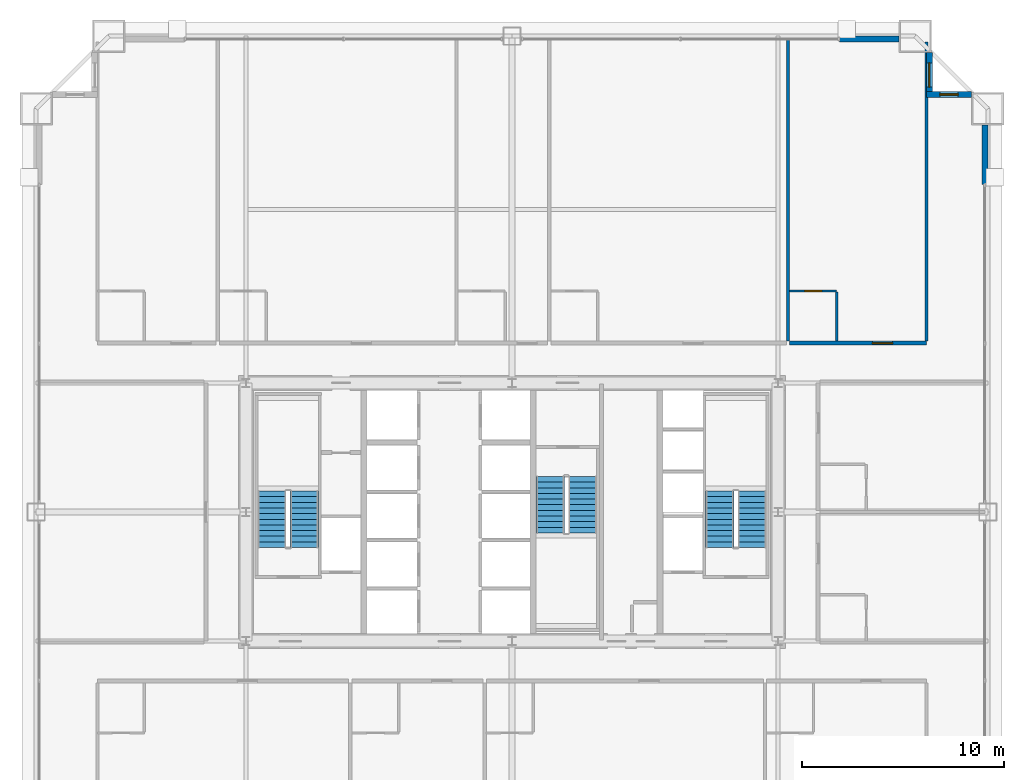
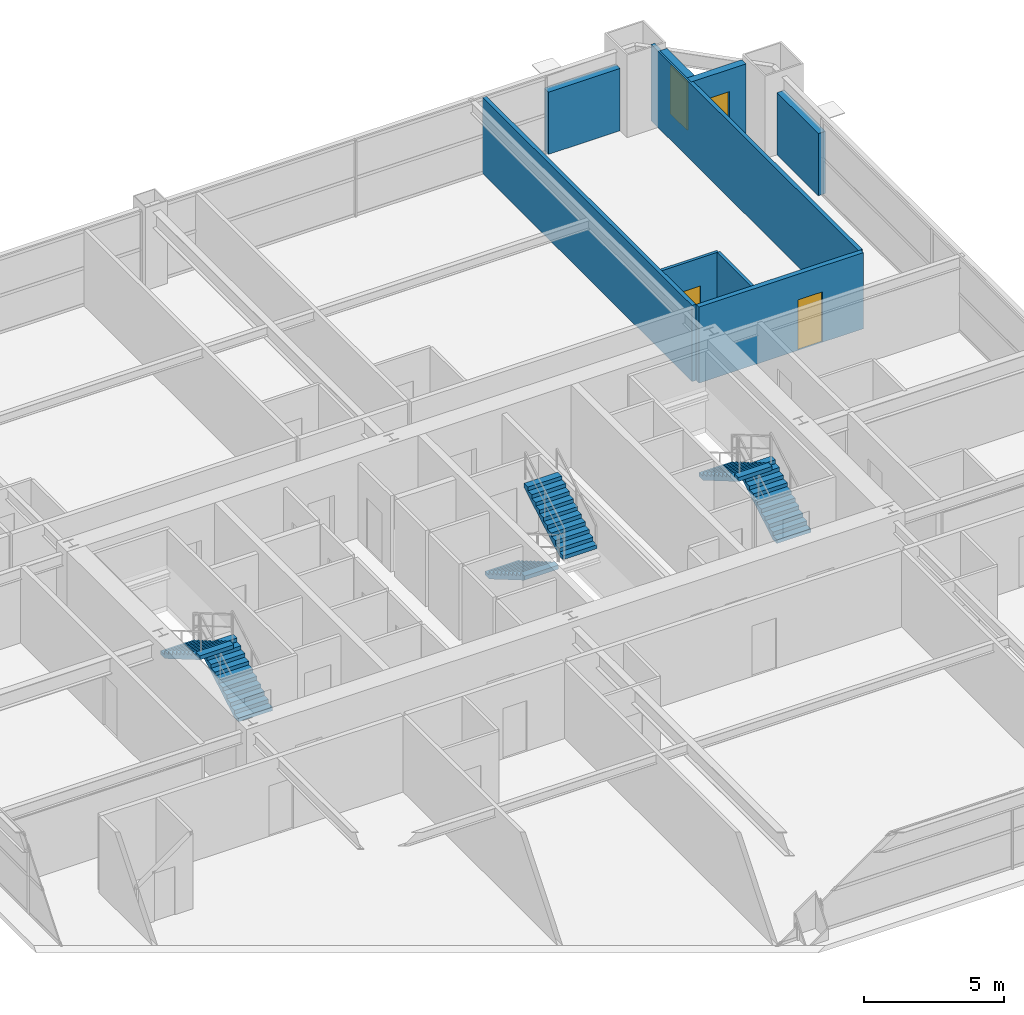
# One storey, part 37 of 38: 9 walls, 6 stair flights, 2 doors, 2 windows, 4 openings, 3 elements without a shape of their own.
"""IFC4 building model written with IfcOpenShell, lengths in metres."""

from ifc_helpers import new_model, si_unit, direction, frame, frame_2d, origin, place, context, subcontext, project, spatial, polyline, rectangle, outline, extrude, source, transform, mapped, material, layer, layer_set, type_object, element, fill, aggregate, save


model = new_model("IFC4")

# Units and contexts
model_context = context("Model", 3, precision=1e-05, world=origin(), true_north=direction((0.0, 1.0)))
body_context = subcontext(model_context, "Body", "Model", "MODEL_VIEW")
ifc_project = project(units=[si_unit("LENGTHUNIT", "METRE"), si_unit("AREAUNIT", "SQUARE_METRE"), si_unit("VOLUMEUNIT", "CUBIC_METRE"), si_unit("PLANEANGLEUNIT", "RADIAN"), si_unit("MASSUNIT", "GRAM", prefix="KILO"), si_unit("THERMODYNAMICTEMPERATUREUNIT", "KELVIN"), si_unit("POWERUNIT", "WATT")], contexts=[model_context])

# Site, building, storey
site_placement = place(None, origin())
site = spatial("IfcSite", under=ifc_project, at=site_placement, CompositionType="ELEMENT")
building_placement = place(site_placement, origin())
building = spatial("IfcBuilding", under=site, at=building_placement, Name="Yuzanri Waterfront Tower", CompositionType="ELEMENT")
storey_placement = place(building_placement, frame((0.0, 0.0, 126.199951171875)))
storey = spatial("IfcBuildingStorey", under=building, at=storey_placement, Name="L33", CompositionType="ELEMENT", Elevation=126.199951171875)

# Wall, opening, door
ifc_material_1 = material(Name="Moisture-Resistant Gypsum Stud Wall", Category="gypsum")
ifc_layer_1 = layer(ifc_material_1, 0.1201171875)
ifc_layer_set_1 = layer_set([ifc_layer_1], Name="Moisture-Resistant Gypsum Stud Wall")
wall_type_1 = type_object("IfcWallType", Name="Bathroom and Kitchen Wet Partition 120", PredefinedType="PARTITIONING", material=ifc_layer_set_1)
wall_1_placement = place(storey_placement, frame((50.77294921875, 36.760009765625, 0.0), z_axis=(0.0, 0.0, 1.0), x_axis=(1.0, 0.0, 0.0)))
wall_1 = element("IfcWall", 1, at=wall_1_placement, inside=storey, type_object=wall_type_1, Name="L33 Partition UW-L33-N5-BN", PredefinedType="PARTITIONING", context=body_context, shape_type="SweptSolid", body=[
    extrude(rectangle(XDim=2.330078125, YDim=0.1201171875, at=frame_2d((1.1650390625, 0.0))), origin(), (0.0, 0.0, 1.0), 3.320068359375),
])
opening_1_placement = place(wall_1_placement, frame((0.739990234375, 0.0, 0.0)))
opening_1 = element("IfcOpeningElement", 2, at=opening_1_placement, cuts=wall_1, Name="Opening ID-0850", PredefinedType="OPENING", context=body_context, shape_type="SweptSolid", body=[
    extrude(rectangle(XDim=0.85009765625, YDim=2.10009765625, at=frame_2d((0.425048828125, 1.050048828125))), frame((0.0, 0.074951171875, 0.0), z_axis=(0.0, -1.0, 0.0), x_axis=(1.0, 0.0, 0.0)), (0.0, 0.0, 1.0), 0.14990234375),
])
ifc_material_2 = material(Name="Moisture-Resistant Lacquered Timber", Category="wood")
door_type_1 = type_object("IfcDoorType", Name="En-Suite Bathroom and Kitchen Swing Door 850x2100", OperationType="NOTDEFINED", PredefinedType="DOOR", material=ifc_material_2)
shared_shape_1 = source(origin(), body_context, "Body", "SweptSolid", [
    extrude(rectangle(XDim=0.85009765625, YDim=2.10009765625, at=frame_2d((0.425048828125, 1.050048828125))), frame((0.0, 0.02490234375, 0.0), z_axis=(0.0, -1.0, 0.0), x_axis=(1.0, 0.0, 0.0)), (0.0, 0.0, 1.0), 0.050048828125),
])
door_1_placement = place(opening_1_placement, origin())
door_1 = element("IfcDoor", 3, at=door_1_placement, inside=storey, type_object=door_type_1, Name="L33 Guest En-Suite Door", OperationType="SINGLE_SWING_LEFT", OverallHeight=2.10009765625, OverallWidth=0.85009765625, PredefinedType="DOOR", context=body_context, shape_type="MappedRepresentation", body=[
    mapped(shared_shape_1, transform((0.0, 0.0, 0.0), scale=1.0)),
])
fill(opening_1, door_1)

# Wall, opening, window
ifc_material_3 = material(Name="Honed Chongqing Dark Basalt Stone", Category="masonry")
ifc_layer_2 = layer(ifc_material_3, 0.300048828125)
ifc_layer_set_2 = layer_set([ifc_layer_2], Name="Honed Chongqing Dark Basalt Stone")
wall_type_2 = type_object("IfcWallType", Name="Bronze Rainscreen Insulated Spandrel Portal Wall 300", PredefinedType="SOLIDWALL", material=ifc_layer_set_2)
wall_2_placement = place(storey_placement, frame((59.800048828125, 46.5, 0.0), z_axis=(0.0, 0.0, 1.0), x_axis=(-1.0, 0.0, 0.0)))
wall_2 = element("IfcWall", 4, at=wall_2_placement, inside=storey, type_object=wall_type_2, Name="L33 Notched Corner Masonry Wall NE-X", PredefinedType="SOLIDWALL", context=body_context, shape_type="SweptSolid", body=[
    extrude(rectangle(XDim=2.25, YDim=0.300048828125, at=frame_2d((1.125, 0.0))), origin(), (0.0, 0.0, 1.0), 3.320068359375),
])
opening_2_placement = place(wall_2_placement, frame((0.675048828125, 0.0, 0.85009765625)))
opening_2 = element("IfcOpeningElement", 5, at=opening_2_placement, cuts=wall_2, Name="Opening WN-05", PredefinedType="OPENING", context=body_context, shape_type="SweptSolid", body=[
    extrude(rectangle(XDim=0.89990234375, YDim=1.5, at=frame_2d((0.449951171875, 0.75))), frame((0.0, 0.1650390625, 0.0), z_axis=(0.0, -1.0, 0.0), x_axis=(1.0, 0.0, 0.0)), (0.0, 0.0, 1.0), 0.329833984375),
])
ifc_material_4 = material(Name="Double-Silver Low-E Insulated Glass", Category="glass")
window_type_1 = type_object("IfcWindowType", Name="Anodized Bronze Service and Stairwell Smoke-Vent Window 900x1500", PartitioningType="SINGLE_PANEL", PredefinedType="WINDOW", material=ifc_material_4)
shared_shape_2 = source(origin(), body_context, "Body", "SweptSolid", [
    extrude(rectangle(XDim=0.89990234375, YDim=1.5, at=frame_2d((0.449951171875, 0.75))), frame((0.0, 0.030029296875, 0.0), z_axis=(0.0, -1.0, 0.0), x_axis=(1.0, 0.0, 0.0)), (0.0, 0.0, 1.0), 0.06005859375),
])
window_1_placement = place(opening_2_placement, origin())
window_1 = element("IfcWindow", 6, at=window_1_placement, inside=storey, type_object=window_type_1, Name="L33 Notched Corner Window NE-X", OverallHeight=1.5, OverallWidth=0.89990234375, PartitioningType="SINGLE_PANEL", PredefinedType="WINDOW", context=body_context, shape_type="MappedRepresentation", body=[
    mapped(shared_shape_2, transform((0.0, 0.0, 0.0), scale=1.0)),
])
fill(opening_2, window_1)

wall_3_placement = place(storey_placement, frame((57.699951171875, 46.35009765625, 0.0), z_axis=(0.0, 0.0, 1.0), x_axis=(0.0, 1.0, 0.0)))
wall_3 = element("IfcWall", 7, at=wall_3_placement, inside=storey, type_object=wall_type_2, Name="L33 Notched Corner Masonry Wall NE-Y", PredefinedType="SOLIDWALL", context=body_context, shape_type="SweptSolid", body=[
    extrude(rectangle(XDim=2.25, YDim=0.300048828125, at=frame_2d((1.125, 0.0))), origin(), (0.0, 0.0, 1.0), 3.320068359375),
])
opening_3_placement = place(wall_3_placement, frame((0.52490234375, 0.0, 0.85009765625)))
opening_3 = element("IfcOpeningElement", 8, at=opening_3_placement, cuts=wall_3, Name="Opening WN-02", PredefinedType="OPENING", context=body_context, shape_type="SweptSolid", body=[
    extrude(rectangle(XDim=1.199951171875, YDim=2.10009765625, at=frame_2d((0.60009765625, 1.050048828125))), frame((0.0, 0.1650390625, 0.0), z_axis=(0.0, -1.0, 0.0), x_axis=(1.0, 0.0, 0.0)), (0.0, 0.0, 1.0), 0.329833984375),
])
ifc_material_5 = material(Name="Double-Silver Low-E Insulated Glass", Category="glass")
window_type_2 = type_object("IfcWindowType", Name="Anodized Bronze Notched Corner Deep-Set Slot Window 1200x2100", PartitioningType="SINGLE_PANEL", PredefinedType="WINDOW", material=ifc_material_5)
shared_shape_3 = source(origin(), body_context, "Body", "SweptSolid", [
    extrude(rectangle(XDim=1.199951171875, YDim=2.10009765625, at=frame_2d((0.60009765625, 1.050048828125))), frame((0.0, 0.030029296875, 0.0), z_axis=(0.0, -1.0, 0.0), x_axis=(1.0, 0.0, 0.0)), (0.0, 0.0, 1.0), 0.06005859375),
])
window_2_placement = place(opening_3_placement, origin())
window_2 = element("IfcWindow", 9, at=window_2_placement, inside=storey, type_object=window_type_2, Name="L33 Notched Corner Window NE-Y", OverallHeight=2.10009765625, OverallWidth=1.199951171875, PartitioningType="SINGLE_PANEL", PredefinedType="WINDOW", context=body_context, shape_type="MappedRepresentation", body=[
    mapped(shared_shape_3, transform((0.0, 0.0, 0.0), scale=1.0)),
])
fill(opening_3, window_2)

# Wall, opening, door
ifc_material_6 = material(Name="Autoclaved Aerated Concrete Blockwork", Category="masonry")
ifc_layer_3 = layer(ifc_material_6, 0.199951171875)
ifc_layer_set_3 = layer_set([ifc_layer_3], Name="Autoclaved Aerated Concrete Blockwork")
wall_type_3 = type_object("IfcWallType", Name="Corridor and Unit Party Fire Wall 200", PredefinedType="PARTITIONING", material=ifc_layer_set_3)
wall_4_placement = place(storey_placement, frame((50.77294921875, 34.179931640625, 0.0), z_axis=(0.0, 0.0, 1.0), x_axis=(1.0, 0.0, 0.0)))
wall_4 = element("IfcWall", 10, at=wall_4_placement, inside=storey, type_object=wall_type_3, Name="L33 Partition UW-L33-N5-CS", PredefinedType="PARTITIONING", context=body_context, shape_type="SweptSolid", body=[
    extrude(rectangle(XDim=6.787109375, YDim=0.199951171875, at=frame_2d((3.3935546875, 0.0))), origin(), (0.0, 0.0, 1.0), 3.320068359375),
])
opening_4_placement = place(wall_4_placement, frame((4.097900390625, 0.0, 0.0)))
opening_4 = element("IfcOpeningElement", 11, at=opening_4_placement, cuts=wall_4, Name="Opening FD-1000", PredefinedType="OPENING", context=body_context, shape_type="SweptSolid", body=[
    extrude(rectangle(XDim=1.0, YDim=2.199951171875, at=frame_2d((0.5, 1.10009765625))), frame((0.0, 0.11474609375, 0.0), z_axis=(0.0, -1.0, 0.0), x_axis=(1.0, 0.0, 0.0)), (0.0, 0.0, 1.0), 0.229736328125),
])
ifc_material_7 = material(Name="Engineered Oak Fire-Rated Timber", Category="wood")
door_type_2 = type_object("IfcDoorType", Name="Guestroom and Apartment Entrance Fire Door 1000x2200", OperationType="NOTDEFINED", PredefinedType="DOOR", material=ifc_material_7)
shared_shape_4 = source(origin(), body_context, "Body", "SweptSolid", [
    extrude(rectangle(XDim=1.0, YDim=2.199951171875, at=frame_2d((0.5, 1.10009765625))), frame((0.0, 0.02490234375, 0.0), z_axis=(0.0, -1.0, 0.0), x_axis=(1.0, 0.0, 0.0)), (0.0, 0.0, 1.0), 0.050048828125),
])
door_2_placement = place(opening_4_placement, origin())
door_2 = element("IfcDoor", 12, at=door_2_placement, inside=storey, type_object=door_type_2, Name="L33 Superior Twin Junior Suite Entrance Door", OperationType="SINGLE_SWING_RIGHT", OverallHeight=2.199951171875, OverallWidth=1.0, PredefinedType="DOOR", context=body_context, shape_type="MappedRepresentation", body=[
    mapped(shared_shape_4, transform((0.0, 0.0, 0.0), scale=1.0)),
])
fill(opening_4, door_2)

# Walls
shared_shape_5 = source(origin(), body_context, "Body", "SweptSolid", [
    extrude(rectangle(XDim=2.949951171875, YDim=0.300048828125, at=frame_2d((1.47509765625, 0.0))), origin(), (0.0, 0.0, 1.0), 2.715087890625),
])
for number, where, z_axis, x_axis, name in (
    (13, (53.25, 49.25, 0.0), (0.0, 0.0, 1.0), (1.0, 0.0, 0.0), "L33 N Right Braced Masonry Shoulder"),
    (14, (60.449951171875, 42.050048828125, 0.0), (0.0, 0.0, 1.0), (0.0, 1.0, 0.0), "L33 E Right Braced Masonry Shoulder"),
):
    element("IfcWall", number, at=place(storey_placement, frame(where, z_axis=z_axis, x_axis=x_axis)), inside=storey, type_object=wall_type_2, Name=name, PredefinedType="SOLIDWALL", context=body_context, shape_type="MappedRepresentation", body=[
        mapped(shared_shape_5, transform((0.0, 0.0, 0.0), scale=1.0)),
    ])
shared_shape_6 = source(origin(), body_context, "Body", "SweptSolid", [
    extrude(rectangle(XDim=2.419921875, YDim=0.1201171875, at=frame_2d((1.2099609375, 0.0))), origin(), (0.0, 0.0, 1.0), 3.320068359375),
])
wall_5_placement = place(storey_placement, frame((53.10302734375, 34.280029296875, 0.0), z_axis=(0.0, 0.0, 1.0), x_axis=(0.0, 1.0, 0.0)))
element("IfcWall", 15, at=wall_5_placement, inside=storey, type_object=wall_type_1, Name="L33-N5 En-Suite Side Wall", PredefinedType="PARTITIONING", context=body_context, shape_type="MappedRepresentation", body=[
    mapped(shared_shape_6, transform((0.0, 0.0, 0.0), scale=1.0)),
])
ifc_material_8 = material(Name="Gypsum Fireboard Acoustic Stud Wall", Category="gypsum")
ifc_layer_4 = layer(ifc_material_8, 0.159912109375)
ifc_layer_set_4 = layer_set([ifc_layer_4], Name="Gypsum Fireboard Acoustic Stud Wall")
wall_type_4 = type_object("IfcWallType", Name="Acoustic Suite Demising Partition 160", PredefinedType="PARTITIONING", material=ifc_layer_set_4)
shared_shape_7 = source(origin(), body_context, "Body", "SweptSolid", [
    extrude(rectangle(XDim=14.969970703125, YDim=0.159912109375, at=frame_2d((7.48486328125, 0.0))), origin(), (0.0, 0.0, 1.0), 3.320068359375),
])
wall_6_placement = place(storey_placement, frame((50.693115234375, 34.280029296875, 0.0), z_axis=(0.0, 0.0, 1.0), x_axis=(0.0, 1.0, 0.0)))
element("IfcWall", 16, at=wall_6_placement, inside=storey, type_object=wall_type_4, Name="L33-N4 Party Wall", PredefinedType="PARTITIONING", context=body_context, shape_type="MappedRepresentation", body=[
    mapped(shared_shape_7, transform((0.0, 0.0, 0.0), scale=1.0)),
])
shared_shape_8 = source(origin(), body_context, "Body", "SweptSolid", [
    extrude(rectangle(XDim=14.820068359375, YDim=0.159912109375, at=frame_2d((7.41015625, 0.0))), origin(), (0.0, 0.0, 1.0), 3.320068359375),
])
wall_7_placement = place(storey_placement, frame((57.550048828125, 34.280029296875, 0.0), z_axis=(0.0, 0.0, 1.0), x_axis=(0.0, 1.0, 0.0)))
element("IfcWall", 17, at=wall_7_placement, inside=storey, type_object=wall_type_4, Name="L33 North Band East End Wall", PredefinedType="PARTITIONING", context=body_context, shape_type="MappedRepresentation", body=[
    mapped(shared_shape_8, transform((0.0, 0.0, 0.0), scale=1.0)),
])

# Stair, stair flights
ifc_material_9 = material(Name="Concrete C40", Category="concrete")
stair_type = type_object("IfcStairType", Name="Concrete C40 Core Dogleg Exit Stair", PredefinedType="HALF_TURN_STAIR", material=ifc_material_9)
stair_1_placement = place(storey_placement, origin())
stair_1 = element("IfcStair", 18, at=stair_1_placement, inside=storey, type_object=stair_type, Name="L33 Smoke-Proof Core Stair ST-01", PredefinedType="HALF_TURN_STAIR")
ifc_material_10 = material(Name="Concrete C40", Category="concrete")
stair_flight_type = type_object("IfcStairFlightType", Name="Concrete C40 Precast Stair Flight 1380", PredefinedType="STRAIGHT", material=ifc_material_10)
shared_shape_9 = source(origin(), body_context, "Body", "SweptSolid", [
    extrude(outline(polyline([(0.0, 0.0), (0.0, 0.16357421875), (0.280029296875, 0.16357421875), (0.280029296875, 0.327392578125), (0.56005859375, 0.327392578125), (0.56005859375, 0.490966796875), (0.840087890625, 0.490966796875), (0.840087890625, 0.654541015625), (1.1201171875, 0.654541015625), (1.1201171875, 0.818115234375), (1.39990234375, 0.818115234375), (1.39990234375, 0.98193359375), (1.679931640625, 0.98193359375), (1.679931640625, 1.1455078125), (1.9599609375, 1.1455078125), (1.9599609375, 1.30908203125), (2.239990234375, 1.30908203125), (2.239990234375, 1.47265625), (2.52001953125, 1.47265625), (2.52001953125, 1.636474609375), (2.800048828125, 1.636474609375), (2.800048828125, 1.800048828125), (2.800048828125, 1.462646484375), (0.297119140625, 0.0), (0.0, 0.0)])), frame((0.0, 0.699951171875, 0.0), z_axis=(0.0, -1.0, 0.0), x_axis=(1.0, 0.0, 0.0)), (0.0, 0.0, 1.0), 1.39990234375),
])
stair_flight_1_placement = place(storey_placement, frame((26.699951171875, 24.0400390625, 0.0), z_axis=(0.0, 0.0, 1.0), x_axis=(0.0, 1.0, 0.0)))
stair_flight_1 = element("IfcStairFlight", 19, at=stair_flight_1_placement, type_object=stair_flight_type, Name="ST-01 flight 1", NumberOfRisers=11, NumberOfTreads=10, PredefinedType="STRAIGHT", RiserHeight=0.163636364, TreadLength=0.28, context=body_context, shape_type="MappedRepresentation", body=[
    mapped(shared_shape_9, transform((0.0, 0.0, 0.0), scale=1.0)),
])
stair_flight_2_placement = place(storey_placement, frame((25.10009765625, 26.840087890625, 1.800048828125), z_axis=(0.0, 0.0, 1.0), x_axis=(0.0, -1.0, 0.0)))
stair_flight_2 = element("IfcStairFlight", 20, at=stair_flight_2_placement, type_object=stair_flight_type, Name="ST-01 flight 2", NumberOfRisers=11, NumberOfTreads=10, PredefinedType="STRAIGHT", RiserHeight=0.163636364, TreadLength=0.28, context=body_context, shape_type="MappedRepresentation", body=[
    mapped(shared_shape_9, transform((0.0, 0.0, 0.0), scale=1.0)),
])
aggregate(stair_1, [stair_flight_1, stair_flight_2])

stair_2_placement = place(storey_placement, origin())
stair_2 = element("IfcStair", 21, at=stair_2_placement, inside=storey, type_object=stair_type, Name="L33 Smoke-Proof Core Stair ST-02", PredefinedType="HALF_TURN_STAIR")
stair_flight_3_placement = place(storey_placement, frame((48.89990234375, 24.0400390625, 0.0), z_axis=(0.0, 0.0, 1.0), x_axis=(0.0, 1.0, 0.0)))
stair_flight_3 = element("IfcStairFlight", 22, at=stair_flight_3_placement, type_object=stair_flight_type, Name="ST-02 flight 1", NumberOfRisers=11, NumberOfTreads=10, PredefinedType="STRAIGHT", RiserHeight=0.163636364, TreadLength=0.28, context=body_context, shape_type="MappedRepresentation", body=[
    mapped(shared_shape_9, transform((0.0, 0.0, 0.0), scale=1.0)),
])
stair_flight_4_placement = place(storey_placement, frame((47.300048828125, 26.840087890625, 1.800048828125), z_axis=(0.0, 0.0, 1.0), x_axis=(0.0, -1.0, 0.0)))
stair_flight_4 = element("IfcStairFlight", 23, at=stair_flight_4_placement, type_object=stair_flight_type, Name="ST-02 flight 2", NumberOfRisers=11, NumberOfTreads=10, PredefinedType="STRAIGHT", RiserHeight=0.163636364, TreadLength=0.28, context=body_context, shape_type="MappedRepresentation", body=[
    mapped(shared_shape_9, transform((0.0, 0.0, 0.0), scale=1.0)),
])
aggregate(stair_2, [stair_flight_3, stair_flight_4])

stair_3_placement = place(storey_placement, origin())
stair_3 = element("IfcStair", 24, at=stair_3_placement, inside=storey, type_object=stair_type, Name="L33 Smoke-Proof Core Stair ST-03", PredefinedType="HALF_TURN_STAIR")
stair_flight_5_placement = place(storey_placement, frame((38.89990234375, 27.56005859375, 0.0), z_axis=(0.0, 0.0, 1.0), x_axis=(0.0, -1.0, 0.0)))
stair_flight_5 = element("IfcStairFlight", 25, at=stair_flight_5_placement, type_object=stair_flight_type, Name="ST-03 flight 1", NumberOfRisers=11, NumberOfTreads=10, PredefinedType="STRAIGHT", RiserHeight=0.163636364, TreadLength=0.28, context=body_context, shape_type="MappedRepresentation", body=[
    mapped(shared_shape_9, transform((0.0, 0.0, 0.0), scale=1.0)),
])
stair_flight_6_placement = place(storey_placement, frame((40.5, 24.760009765625, 1.800048828125), z_axis=(0.0, 0.0, 1.0), x_axis=(0.0, 1.0, 0.0)))
stair_flight_6 = element("IfcStairFlight", 26, at=stair_flight_6_placement, type_object=stair_flight_type, Name="ST-03 flight 2", NumberOfRisers=11, NumberOfTreads=10, PredefinedType="STRAIGHT", RiserHeight=0.163636364, TreadLength=0.28, context=body_context, shape_type="MappedRepresentation", body=[
    mapped(shared_shape_9, transform((0.0, 0.0, 0.0), scale=1.0)),
])
aggregate(stair_3, [stair_flight_5, stair_flight_6])

save(model, "model.ifc")
